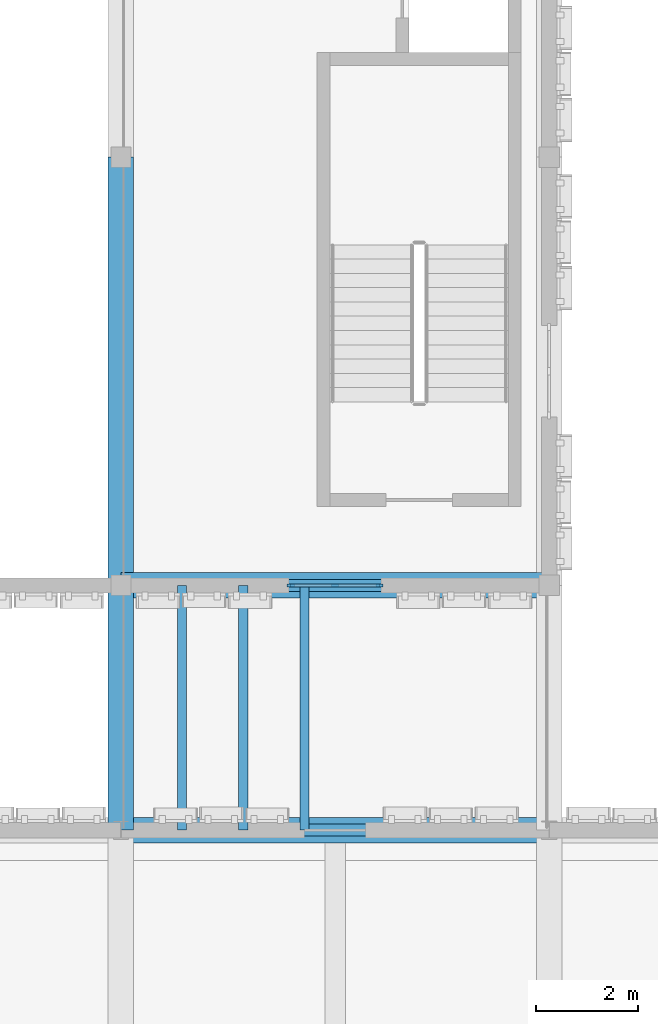
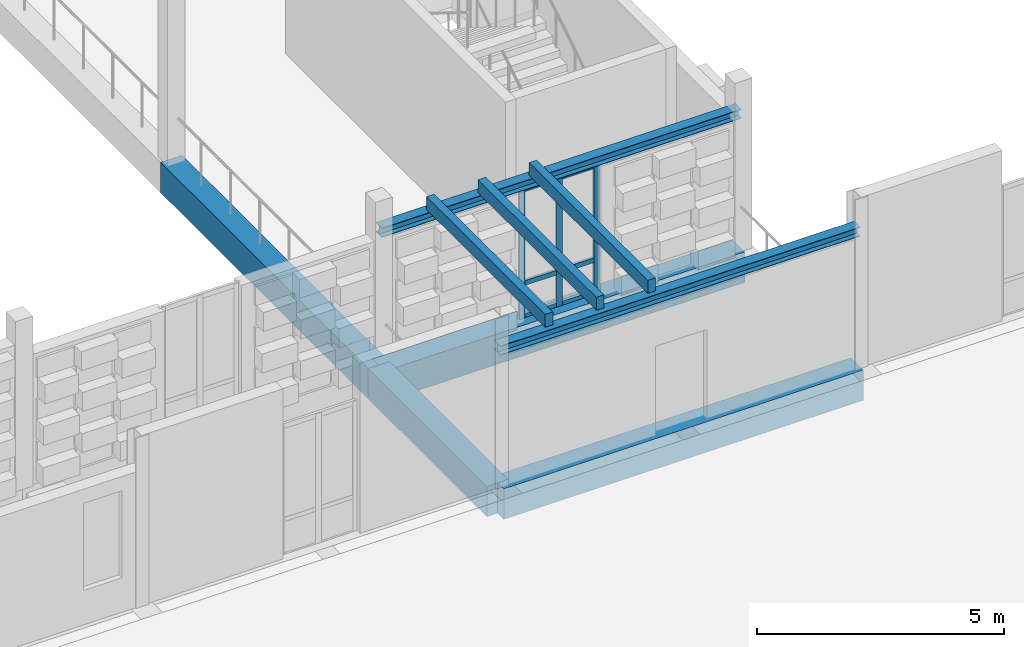
# One storey, part 18 of 99: 9 members, 6 beams, 1 element without a shape of its own.
"""IFC4 building model written with IfcOpenShell, lengths in metres."""

from ifc_helpers import new_model, si_unit, direction, frame, origin, origin_2d, place, context, subcontext, project, spatial, rectangle, i_section, extrude, material, material_profile, profile_set, type_object, element, aggregate, save


model = new_model("IFC4")

# Units and contexts
model_context = context("Model", 3, precision=1e-05, world=origin(), true_north=direction((0.0, 1.0)))
body_context = subcontext(model_context, "Body", "Model", "MODEL_VIEW")
ifc_project = project(units=[si_unit("LENGTHUNIT", "METRE"), si_unit("AREAUNIT", "SQUARE_METRE"), si_unit("VOLUMEUNIT", "CUBIC_METRE"), si_unit("PLANEANGLEUNIT", "RADIAN"), si_unit("MASSUNIT", "GRAM", prefix="KILO")], contexts=[model_context])

# Site, building, storey
site_placement = place(None, origin())
site = spatial("IfcSite", under=ifc_project, at=site_placement, CompositionType="ELEMENT")
building_placement = place(site_placement, origin())
building = spatial("IfcBuilding", under=site, at=building_placement, Name="Kahlenmark Community Centre", CompositionType="ELEMENT")
storey_placement = place(building_placement, frame((0.0, 0.0, 5.39990234375)))
storey = spatial("IfcBuildingStorey", under=building, at=storey_placement, Name="L01", CompositionType="ELEMENT", Elevation=5.39990234375)

# Beams
ifc_material_1 = material(Name="Steel S355", Category="steel")
ifc_material_profile_1 = material_profile(ifc_material_1, i_section(OverallWidth=0.239990234375, OverallDepth=0.22998046875, WebThickness=0.007568359375, FlangeThickness=0.011962890625, at=origin_2d()), Name="HEA 240")
ifc_profile_set_1 = profile_set([ifc_material_profile_1], Name="Steel S355")
beam_type_1 = type_object("IfcBeamType", Name="BT-SPANDREL-HEA240", PredefinedType="SPANDREL", material=ifc_profile_set_1)
for number, where, z_axis, x_axis, name in (
    (1, (29.199951171875, 37.60009765625, 3.335205078125), (1.0, 0.0, 0.0), (0.0, 1.0, 0.0), "L01 spandrel SP-PRG240"),
    (2, (29.199951171875, 42.39990234375, 3.335205078125), (1.0, 0.0, 0.0), (0.0, 1.0, 0.0), "L01 spandrel SP-PRG240"),
):
    element("IfcBeam", number, at=place(storey_placement, frame(where, z_axis=z_axis, x_axis=x_axis)), inside=storey, type_object=beam_type_1, Name=name, PredefinedType="SPANDREL", context=body_context, shape_type="SweptSolid", body=[
        extrude(i_section(OverallWidth=0.239990234375, OverallDepth=0.22998046875, WebThickness=0.007568359375, FlangeThickness=0.011962890625, at=origin_2d()), origin(), (0.0, 0.0, 1.0), 8.400146484375),
    ])
ifc_material_2 = material(Name="Concrete C35/45", Category="concrete")
ifc_material_profile_2 = material_profile(ifc_material_2, rectangle(XDim=0.5, YDim=0.75, at=origin_2d()), Name="RC 500x750")
ifc_profile_set_2 = profile_set([ifc_material_profile_2], Name="Concrete C35/45")
beam_type_2 = type_object("IfcBeamType", Name="BT-SPANDREL-RC500x750", PredefinedType="SPANDREL", material=ifc_profile_set_2)
for number, where, z_axis, x_axis, name in (
    (3, (29.199951171875, 37.60009765625, -0.375), (1.0, 0.0, 0.0), (0.0, 1.0, 0.0), "L01 spandrel SP-RC500x750"),
    (4, (29.199951171875, 42.39990234375, -0.375), (1.0, 0.0, 0.0), (0.0, 1.0, 0.0), "L01 spandrel SP-RC500x750"),
    (5, (29.199951171875, 42.39990234375, -0.375), (0.0, 1.0, 0.0), (-1.0, 0.0, 0.0), "L01 spandrel SP-RC500x750"),
):
    element("IfcBeam", number, at=place(storey_placement, frame(where, z_axis=z_axis, x_axis=x_axis)), inside=storey, type_object=beam_type_2, Name=name, PredefinedType="SPANDREL", context=body_context, shape_type="SweptSolid", body=[
        extrude(rectangle(XDim=0.5, YDim=0.75, at=origin_2d()), origin(), (0.0, 0.0, 1.0), 8.400146484375),
    ])
beam_placement = place(storey_placement, frame((29.199951171875, 37.60009765625, -0.375), z_axis=(0.0, 1.0, 0.0), x_axis=(-1.0, 0.0, 0.0)))
element("IfcBeam", 6, at=beam_placement, inside=storey, type_object=beam_type_2, Name="L01 spandrel SP-RC500x750", PredefinedType="SPANDREL", context=body_context, shape_type="SweptSolid", body=[
    extrude(rectangle(XDim=0.5, YDim=0.75, at=origin_2d()), origin(), (0.0, 0.0, 1.0), 4.7998046875),
])

# Curtain wall, members
ifc_material_3 = material(Name="Anodised aluminium unitised curtain wall", Category="aluminium")
curtain_wall_type = type_object("IfcCurtainWallType", Name="CWT-UNIT-180X321", PredefinedType="USERDEFINED", material=ifc_material_3)
curtain_wall_placement = place(storey_placement, origin())
curtain_wall = element("IfcCurtainWall", 7, at=curtain_wall_placement, inside=storey, type_object=curtain_wall_type, Name="Unitised curtain wall CW-012", ObjectType="UNITISED CURTAIN WALL", PredefinedType="USERDEFINED")
ifc_material_4 = material(Name="Anodised aluminium 6063-T6", Category="aluminium")
ifc_material_profile_3 = material_profile(ifc_material_4, rectangle(XDim=0.06005859375, YDim=0.139892578125, at=origin_2d()), Name="ALU MULLION 60x140")
ifc_profile_set_3 = profile_set([ifc_material_profile_3], Name="Anodised aluminium 6063-T6")
member_type_1 = type_object("IfcMemberType", Name="MT-MUL-140", PredefinedType="MULLION", material=ifc_profile_set_3)
member_1_placement = place(storey_placement, frame((32.530029296875, 42.39990234375, 0.0), z_axis=(0.0, 0.0, 1.0), x_axis=(0.0, 1.0, 0.0)))
member_1 = element("IfcMember", 8, at=member_1_placement, type_object=member_type_1, Name="CW-012 mullion 1", PredefinedType="MULLION", context=body_context, shape_type="SweptSolid", body=[
    extrude(rectangle(XDim=0.06005859375, YDim=0.139892578125, at=origin_2d()), origin(), (0.0, 0.0, 1.0), 3.210205078125),
])
member_2_placement = place(storey_placement, frame((33.39990234375, 42.39990234375, 0.0), z_axis=(0.0, 0.0, 1.0), x_axis=(0.0, 1.0, 0.0)))
member_2 = element("IfcMember", 9, at=member_2_placement, type_object=member_type_1, Name="CW-012 mullion 2", PredefinedType="MULLION", context=body_context, shape_type="SweptSolid", body=[
    extrude(rectangle(XDim=0.06005859375, YDim=0.139892578125, at=origin_2d()), origin(), (0.0, 0.0, 1.0), 3.210205078125),
])
member_3_placement = place(storey_placement, frame((34.27001953125, 42.39990234375, 0.0), z_axis=(0.0, 0.0, 1.0), x_axis=(0.0, 1.0, 0.0)))
member_3 = element("IfcMember", 10, at=member_3_placement, type_object=member_type_1, Name="CW-012 mullion 3", PredefinedType="MULLION", context=body_context, shape_type="SweptSolid", body=[
    extrude(rectangle(XDim=0.06005859375, YDim=0.139892578125, at=origin_2d()), origin(), (0.0, 0.0, 1.0), 3.210205078125),
])

# Members
ifc_material_5 = material(Name="Glulam GL28h", Category="wood")
ifc_material_profile_4 = material_profile(ifc_material_5, rectangle(XDim=0.179931640625, YDim=0.320068359375, at=origin_2d()), Name="GL28h 180x320")
ifc_profile_set_4 = profile_set([ifc_material_profile_4], Name="Glulam GL28h")
member_type_2 = type_object("IfcMemberType", Name="MT-RAFTER-GL28h180x320", PredefinedType="RAFTER", material=ifc_profile_set_4)
for number, where, z_axis, x_axis, name in (
    (11, (30.39990234375, 37.60009765625, 3.610107421875), (0.0, 1.0, 0.0), (-1.0, 0.0, 0.0), "L01 rafter PRG-RAF"),
    (12, (31.60009765625, 37.60009765625, 3.610107421875), (0.0, 1.0, 0.0), (-1.0, 0.0, 0.0), "L01 rafter PRG-RAF"),
    (13, (32.800048828125, 37.60009765625, 3.610107421875), (0.0, 1.0, 0.0), (-1.0, 0.0, 0.0), "L01 rafter PRG-RAF"),
):
    element("IfcMember", number, at=place(storey_placement, frame(where, z_axis=z_axis, x_axis=x_axis)), inside=storey, type_object=member_type_2, Name=name, PredefinedType="RAFTER", context=body_context, shape_type="SweptSolid", body=[
        extrude(rectangle(XDim=0.179931640625, YDim=0.320068359375, at=origin_2d()), origin(), (0.0, 0.0, 1.0), 4.7998046875),
    ])

# Member
ifc_material_profile_5 = material_profile(ifc_material_4, rectangle(XDim=0.06005859375, YDim=0.1201171875, at=origin_2d()), Name="ALU TRANSOM 60x120")
ifc_profile_set_5 = profile_set([ifc_material_profile_5], Name="Anodised aluminium 6063-T6")
member_type_3 = type_object("IfcMemberType", Name="MT-TRN-120", PredefinedType="USERDEFINED", material=ifc_profile_set_5)
member_4_placement = place(storey_placement, frame((32.530029296875, 42.39990234375, 0.0400390625), z_axis=(1.0, 0.0, 0.0), x_axis=(0.0, 1.0, 0.0)))
member_4 = element("IfcMember", 14, at=member_4_placement, type_object=member_type_3, Name="CW-012 transom 1", ObjectType="TRANSOM", PredefinedType="USERDEFINED", context=body_context, shape_type="SweptSolid", body=[
    extrude(rectangle(XDim=0.06005859375, YDim=0.1201171875, at=origin_2d()), origin(), (0.0, 0.0, 1.0), 1.739990234375),
])

member_5_placement = place(storey_placement, frame((32.530029296875, 42.39990234375, 0.85009765625), z_axis=(1.0, 0.0, 0.0), x_axis=(0.0, 1.0, 0.0)))
member_5 = element("IfcMember", 15, at=member_5_placement, type_object=member_type_3, Name="CW-012 transom 2", ObjectType="TRANSOM", PredefinedType="USERDEFINED", context=body_context, shape_type="SweptSolid", body=[
    extrude(rectangle(XDim=0.06005859375, YDim=0.1201171875, at=origin_2d()), origin(), (0.0, 0.0, 1.0), 1.739990234375),
])

member_6_placement = place(storey_placement, frame((32.530029296875, 42.39990234375, 3.170166015625), z_axis=(1.0, 0.0, 0.0), x_axis=(0.0, 1.0, 0.0)))
member_6 = element("IfcMember", 16, at=member_6_placement, type_object=member_type_3, Name="CW-012 transom 3", ObjectType="TRANSOM", PredefinedType="USERDEFINED", context=body_context, shape_type="SweptSolid", body=[
    extrude(rectangle(XDim=0.06005859375, YDim=0.1201171875, at=origin_2d()), origin(), (0.0, 0.0, 1.0), 1.739990234375),
])

aggregate(curtain_wall, [member_1, member_2, member_3, member_4, member_5, member_6])

save(model, "model.ifc")
